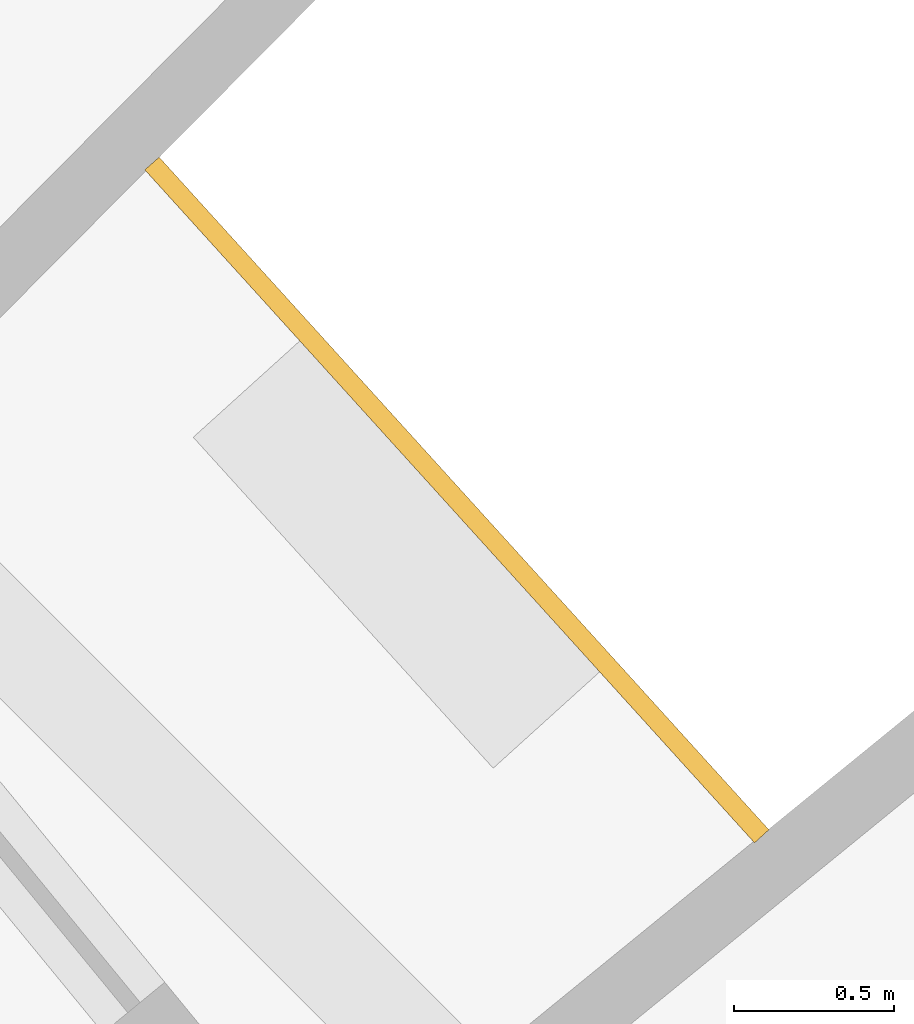
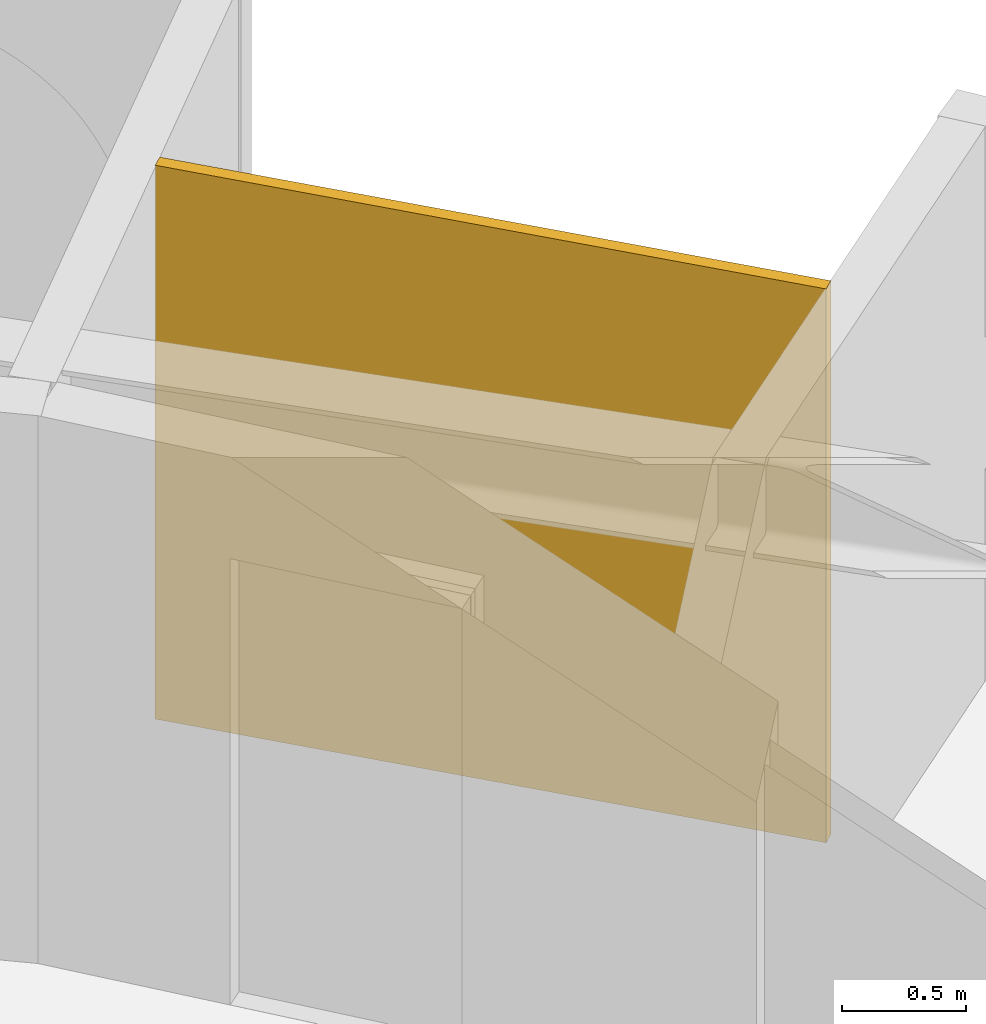
# One storey, part 27 of 27: 1 railing.
"""IFC4 building model written with IfcOpenShell, lengths in metres."""

from ifc_helpers import new_model, si_unit, direction, frame, origin, place, context, subcontext, project, spatial, polyline, outline, extrude, material, layer, layer_set, type_object, element, save


model = new_model("IFC4")

# Units and contexts
model_context = context("Model", 3, precision=1e-05, world=origin(), true_north=direction((0.0, 1.0)))
body_context = subcontext(model_context, "Body", "Model", "MODEL_VIEW")
ifc_project = project(units=[si_unit("LENGTHUNIT", "METRE"), si_unit("AREAUNIT", "SQUARE_METRE"), si_unit("VOLUMEUNIT", "CUBIC_METRE"), si_unit("PLANEANGLEUNIT", "RADIAN"), si_unit("MASSUNIT", "GRAM", prefix="KILO")], contexts=[model_context])

# Site, building, storey
site_placement = place(None, origin())
site = spatial("IfcSite", under=ifc_project, at=site_placement, CompositionType="ELEMENT")
building_placement = place(site_placement, origin())
building = spatial("IfcBuilding", under=site, at=building_placement, Name="Maasbend Ring Residences", CompositionType="ELEMENT")
storey_placement = place(building_placement, frame((0.0, 0.0, 114.699951171875)))
storey = spatial("IfcBuildingStorey", under=building, at=storey_placement, Name="L32", CompositionType="ELEMENT", Elevation=114.699951171875)

# Railing
ifc_material = material(Name="Pale anodised perforated aluminium", Category="aluminium")
ifc_layer = layer(ifc_material, 0.06005859375)
ifc_layer_set = layer_set([ifc_layer], Name="SCREEN-P")
railing_type = type_object("IfcRailingType", Name="SCREEN-P", PredefinedType="GUARDRAIL", material=ifc_layer_set)
railing_placement = place(storey_placement, frame((0.0, 0.0, -0.030029296875)))
element("IfcRailing", 1, at=railing_placement, inside=storey, type_object=railing_type, Name="Perforated screen guard 1", PredefinedType="GUARDRAIL", context=body_context, shape_type="SweptSolid", body=[
    extrude(outline(polyline([(22.4169921875, 18.39697265625), (20.506103515625, 20.506103515625), (20.551025390625, 20.5458984375), (22.4619140625, 18.43798828125), (22.4169921875, 18.39697265625)])), origin(), (0.0, 0.0, 1.0), 2.72998046875),
])

save(model, "model.ifc")
